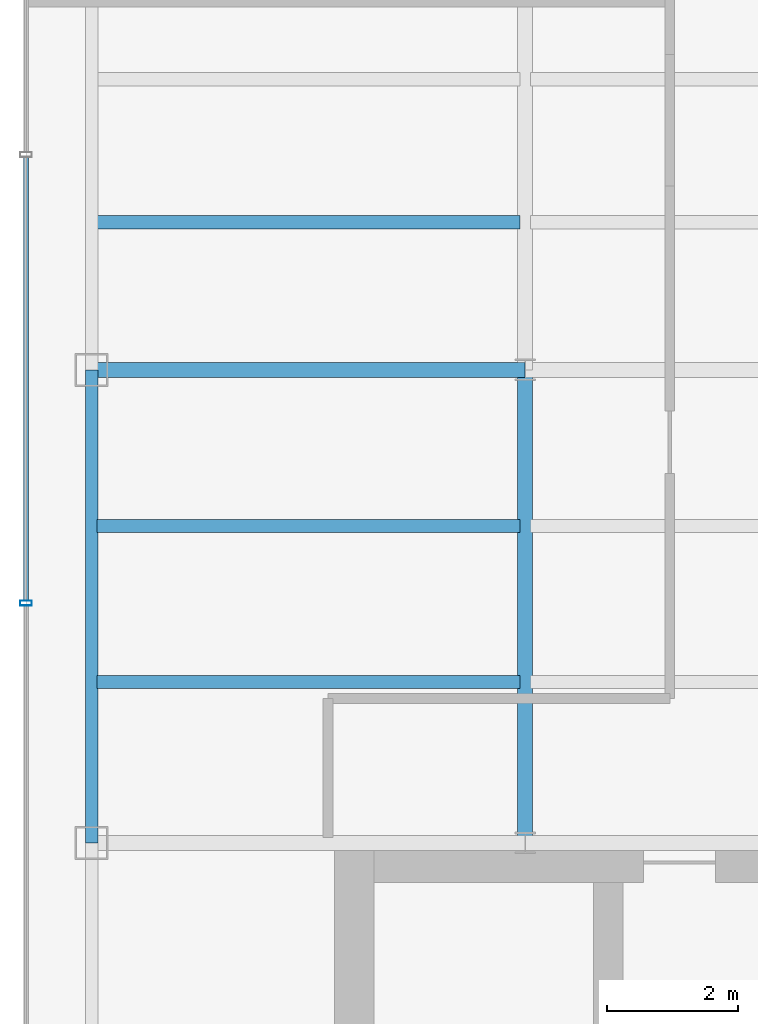
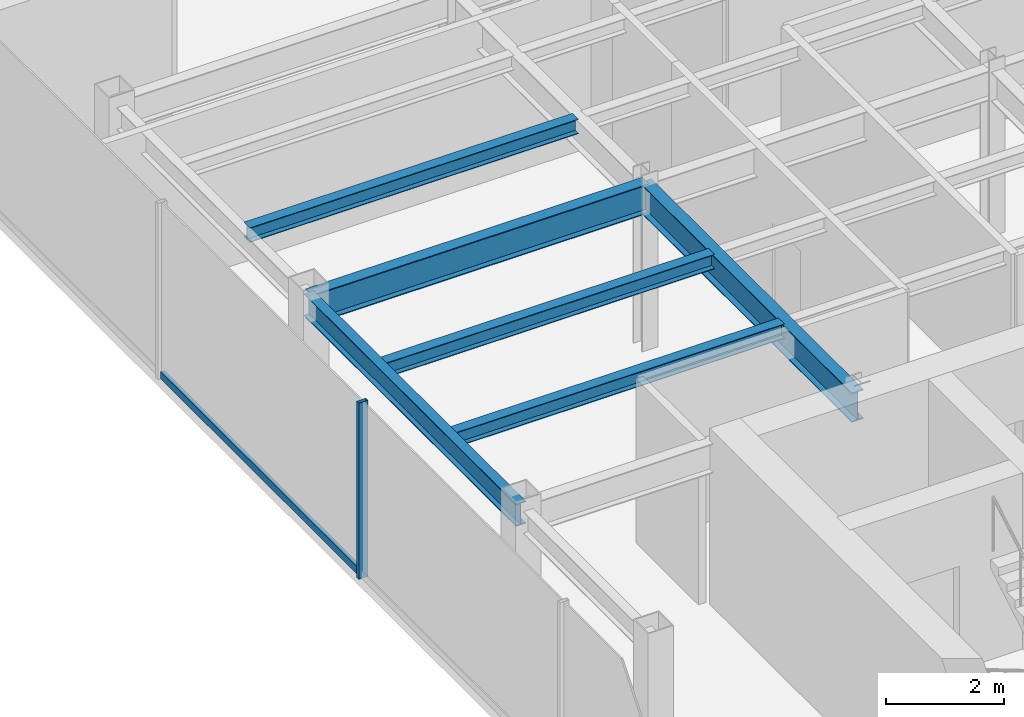
# One storey, part 5 of 22: 6 beams, 2 members, 1 element without a shape of its own.
"""IFC4 building model written with IfcOpenShell, lengths in metres."""

from ifc_helpers import new_model, si_unit, derived_unit, direction, frame, origin, origin_2d, place, context, subcontext, project, spatial, hollow_rectangle, i_section, extrude, source, transform, mapped, material, material_profile, profile_set, type_object, element, aggregate, save


model = new_model("IFC4")

# Units and contexts
model_context = context("Model", 3, precision=1e-05, world=origin(), true_north=direction((0.0, 1.0)))
body_context = subcontext(model_context, "Body", "Model", "MODEL_VIEW")
ifc_project = project(units=[si_unit("LENGTHUNIT", "METRE"), si_unit("AREAUNIT", "SQUARE_METRE"), si_unit("VOLUMEUNIT", "CUBIC_METRE"), si_unit("PLANEANGLEUNIT", "RADIAN"), si_unit("MASSUNIT", "GRAM", prefix="KILO"), derived_unit("THERMALTRANSMITTANCEUNIT", [(si_unit("POWERUNIT", "WATT"), 1), (si_unit("LENGTHUNIT", "METRE"), -2), (si_unit("THERMODYNAMICTEMPERATUREUNIT", "KELVIN"), -1)])], contexts=[model_context])

# Site, building, storey
site_placement = place(None, origin())
site = spatial("IfcSite", under=ifc_project, at=site_placement, CompositionType="ELEMENT")
building_placement = place(site_placement, origin())
building = spatial("IfcBuilding", under=site, at=building_placement, Name="Skarnbrae Concourse Arena and Tower", CompositionType="ELEMENT")
storey_placement = place(building_placement, frame((0.0, 0.0, 244.199951171875)))
storey = spatial("IfcBuildingStorey", under=building, at=storey_placement, Name="L63", CompositionType="ELEMENT", Elevation=244.199951171875)

# Beams
ifc_material_1 = material(Name="Steel CSA G40.21 350W", Category="steel")
ifc_material_profile_1 = material_profile(ifc_material_1, i_section(OverallWidth=0.22802734375, OverallDepth=0.60791015625, WebThickness=0.01123046875, FlangeThickness=0.017333984375, at=origin_2d()), Name="W610X113")
ifc_profile_set_1 = profile_set([ifc_material_profile_1], Name="Steel CSA G40.21 350W")
beam_type_1 = type_object("IfcBeamType", Name="BM-GIRD-W610X113", PredefinedType="BEAM", material=ifc_profile_set_1)
shared_shape_1 = source(origin(), body_context, "Body", "SweptSolid", [
    extrude(i_section(OverallWidth=0.22802734375, OverallDepth=0.60791015625, WebThickness=0.01123046875, FlangeThickness=0.017333984375, at=origin_2d()), origin(), (0.0, 0.0, 1.0), 6.60009765625),
])
beam_1_placement = place(storey_placement, frame((1.0, 21.199951171875, 3.095947265625), z_axis=(1.0, 0.0, 0.0), x_axis=(0.0, 1.0, 0.0)))
element("IfcBeam", 1, at=beam_1_placement, inside=storey, type_object=beam_type_1, Name="L63 Primary E-W girder Y21.2-1", PredefinedType="BEAM", context=body_context, shape_type="MappedRepresentation", body=[
    mapped(shared_shape_1, transform((0.0, 0.0, 0.0))),
])
ifc_material_profile_2 = material_profile(ifc_material_1, i_section(OverallWidth=0.19091796875, OverallDepth=0.4599609375, WebThickness=0.010009765625, FlangeThickness=0.01611328125, at=origin_2d()), Name="W460X82")
ifc_profile_set_2 = profile_set([ifc_material_profile_2], Name="Steel CSA G40.21 350W")
beam_type_2 = type_object("IfcBeamType", Name="BM-SPAN-W460X82", PredefinedType="SPANDREL", material=ifc_profile_set_2)
shared_shape_2 = source(origin(), body_context, "Body", "SweptSolid", [
    extrude(i_section(OverallWidth=0.19091796875, OverallDepth=0.4599609375, WebThickness=0.010009765625, FlangeThickness=0.01611328125, at=origin_2d()), origin(), (0.0, 0.0, 1.0), 7.199951171875),
])
beam_2_placement = place(storey_placement, frame((1.0, 14.0, 3.170166015625), z_axis=(0.0, 1.0, 0.0), x_axis=(-1.0, 0.0, 0.0)))
element("IfcBeam", 2, at=beam_2_placement, inside=storey, type_object=beam_type_2, Name="L63 Perimeter spandrel X1.0-2", PredefinedType="SPANDREL", context=body_context, shape_type="MappedRepresentation", body=[
    mapped(shared_shape_2, transform((0.0, 0.0, 0.0))),
])
shared_shape_3 = source(origin(), body_context, "Body", "SweptSolid", [
    extrude(i_section(OverallWidth=0.22802734375, OverallDepth=0.60791015625, WebThickness=0.01123046875, FlangeThickness=0.017333984375, at=origin_2d()), origin(), (0.0, 0.0, 1.0), 7.199951171875),
])
beam_3_placement = place(storey_placement, frame((7.60009765625, 14.0, 3.095947265625), z_axis=(0.0, 1.0, 0.0), x_axis=(-1.0, 0.0, 0.0)))
element("IfcBeam", 3, at=beam_3_placement, inside=storey, type_object=beam_type_1, Name="L63 Primary N-S girder X7.6-1", PredefinedType="BEAM", context=body_context, shape_type="MappedRepresentation", body=[
    mapped(shared_shape_3, transform((0.0, 0.0, 0.0))),
])
ifc_material_profile_3 = material_profile(ifc_material_1, i_section(OverallWidth=0.202880859375, OverallDepth=0.302978515625, WebThickness=0.007568359375, FlangeThickness=0.01318359375, at=origin_2d()), Name="W310X60")
ifc_profile_set_3 = profile_set([ifc_material_profile_3], Name="Steel CSA G40.21 350W")
beam_type_3 = type_object("IfcBeamType", Name="BM-JOIST-W310X60", PredefinedType="JOIST", material=ifc_profile_set_3)
shared_shape_4 = source(origin(), body_context, "Body", "SweptSolid", [
    extrude(i_section(OverallWidth=0.202880859375, OverallDepth=0.302978515625, WebThickness=0.007568359375, FlangeThickness=0.01318359375, at=origin_2d()), origin(), (0.0, 0.0, 1.0), 6.43994140625),
])
for number, where, z_axis, x_axis, name in (
    (4, (1.080078125, 16.447998046875, 3.24853515625), (1.0, 0.0, 0.0), (0.0, 1.0, 0.0), "L63 Secondary floor joist 1.1.1"),
    (5, (1.080078125, 18.823974609375, 3.24853515625), (1.0, 0.0, 0.0), (0.0, 1.0, 0.0), "L63 Secondary floor joist 1.2.1"),
    (6, (1.080078125, 23.444091796875, 3.24853515625), (1.0, 0.0, 0.0), (0.0, 1.0, 0.0), "L63 Secondary floor joist 2.1.1"),
):
    element("IfcBeam", number, at=place(storey_placement, frame(where, z_axis=z_axis, x_axis=x_axis)), inside=storey, type_object=beam_type_3, Name=name, PredefinedType="JOIST", context=body_context, shape_type="MappedRepresentation", body=[
        mapped(shared_shape_4, transform((0.0, 0.0, 0.0))),
    ])

# Curtain wall, members
ifc_material_2 = material(Name="Bronze anodised aluminium 6063-T6", Category="aluminium")
curtain_wall_type = type_object("IfcCurtainWallType", Name="CW-SYS-05-HIGHZONE", PredefinedType="USERDEFINED", material=ifc_material_2)
curtain_wall_placement = place(storey_placement, origin())
curtain_wall = element("IfcCurtainWall", 7, at=curtain_wall_placement, inside=storey, type_object=curtain_wall_type, Name="L63 Unitised curtain wall CW-L63-E18", ObjectType="UNITISED CURTAIN WALL", PredefinedType="USERDEFINED")
ifc_material_profile_4 = material_profile(ifc_material_2, hollow_rectangle(XDim=0.074951171875, YDim=0.14990234375, WallThickness=0.00390625, at=origin_2d()), Name="ALU-TRAN-75X150")
ifc_profile_set_4 = profile_set([ifc_material_profile_4], Name="Bronze anodised aluminium 6063-T6")
member_type_1 = type_object("IfcMemberType", Name="CWT-CW-05", PredefinedType="USERDEFINED", material=ifc_profile_set_4)
shared_shape_5 = source(origin(), body_context, "Body", "SweptSolid", [
    extrude(hollow_rectangle(XDim=0.074951171875, YDim=0.14990234375, WallThickness=0.00390625, at=origin_2d()), origin(), (0.0, 0.0, 1.0), 6.75),
])
member_1_placement = place(storey_placement, frame((0.0, 24.4375, 0.074951171875), z_axis=(0.0, -1.0, 0.0), x_axis=(1.0, 0.0, 0.0)))
member_1 = element("IfcMember", 8, at=member_1_placement, type_object=member_type_1, Name="CW-L63-E18 Transom 2", ObjectType="TRANSOM", PredefinedType="USERDEFINED", context=body_context, shape_type="MappedRepresentation", body=[
    mapped(shared_shape_5, transform((0.0, 0.0, 0.0))),
])
ifc_material_profile_5 = material_profile(ifc_material_2, hollow_rectangle(XDim=0.074951171875, YDim=0.179931640625, WallThickness=0.00390625, at=origin_2d()), Name="ALU-MULL-75X180")
ifc_profile_set_5 = profile_set([ifc_material_profile_5], Name="Bronze anodised aluminium 6063-T6")
member_type_2 = type_object("IfcMemberType", Name="CWM-CW-05", PredefinedType="MULLION", material=ifc_profile_set_5)
shared_shape_6 = source(origin(), body_context, "Body", "SweptSolid", [
    extrude(hollow_rectangle(XDim=0.074951171875, YDim=0.179931640625, WallThickness=0.00390625, at=origin_2d()), origin(), (0.0, 0.0, 1.0), 3.650146484375),
])
member_2_placement = place(storey_placement, frame((0.0, 17.64990234375, 0.0), z_axis=(0.0, 0.0, 1.0), x_axis=(0.0, -1.0, 0.0)))
member_2 = element("IfcMember", 9, at=member_2_placement, type_object=member_type_2, Name="CW-L63-E18 Mullion 3", PredefinedType="MULLION", context=body_context, shape_type="MappedRepresentation", body=[
    mapped(shared_shape_6, transform((0.0, 0.0, 0.0))),
])
aggregate(curtain_wall, [member_2, member_1])

save(model, "model.ifc")
